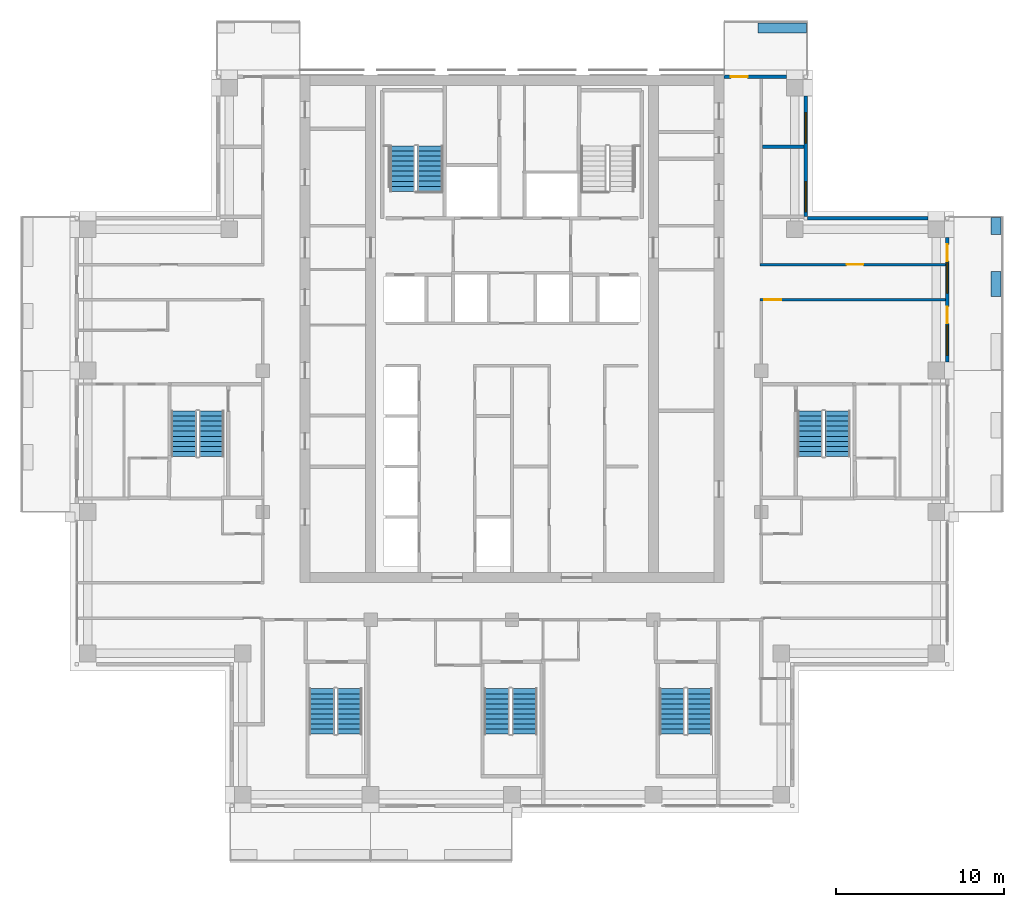
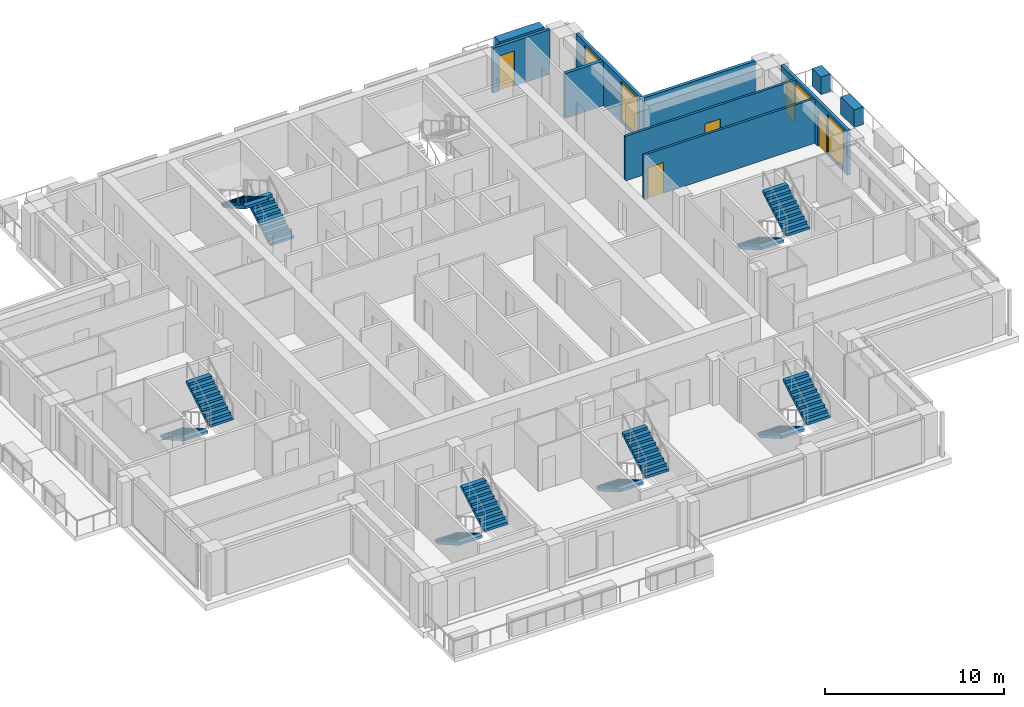
# One storey, part 12 of 17: 12 stair flights, 10 walls, 5 doors, 4 windows, 9 openings, 6 elements without a shape of their own.
"""IFC4 building model written with IfcOpenShell, lengths in metres."""

import ifcopenshell
import ifcopenshell.guid

model = None  # the IFC model being written
_history = None  # IfcOwnerHistory: only IFC2X3 demands one
_inside = {}  # id of a spatial element -> (the spatial element, [elements in it])
_under = {}  # id of a project, library or spatial element -> (it, [spatial elements below it])
_declared = {}  # id of a project -> (the project, [libraries it declares])
_typed = {}  # id of a type object -> (the type object, [elements of that type])
_made_of = {}  # id of a material, layer set ... -> (it, [elements and type objects made of it])


def new_model(schema):
    """Start an empty IFC model of exactly this schema.

    Asked for "IFC4X3", IfcOpenShell would pick the latest addendum, in which some entities
    have other attributes; the version numbers below select the first issue.
    IFC2X3 requires an IfcOwnerHistory on every rooted entity: one is made here for all.
    """
    global model, _history
    if schema == "IFC4X3":
        model = ifcopenshell.file(schema_version=(4, 3, 0, 0))
    else:
        model = ifcopenshell.file(schema=schema)
    _inside.clear()
    _under.clear()
    _declared.clear()
    _typed.clear()
    _made_of.clear()
    _history = None
    if model.schema == "IFC2X3":
        org = make("IfcOrganization", Name="unknown")
        user = make(
            "IfcPersonAndOrganization",
            ThePerson=make("IfcPerson", FamilyName="unknown"),
            TheOrganization=org,
        )
        app = make(
            "IfcApplication",
            ApplicationDeveloper=org,
            Version="unknown",
            ApplicationFullName="unknown",
            ApplicationIdentifier="unknown",
        )
        _history = make(
            "IfcOwnerHistory",
            OwningUser=user,
            OwningApplication=app,
            ChangeAction="ADDED",
            CreationDate=0,
        )
    return model


def make(cls, **values):
    """One entity of the class cls with the attributes given. An attribute that is None is left unset."""
    return model.create_entity(
        cls, **{name: value for name, value in values.items() if value is not None}
    )


def rooted(cls, **values):
    """An entity with a GlobalId (a new one), such as an element, a storey or a relation."""
    return make(cls, GlobalId=ifcopenshell.guid.new(), OwnerHistory=_history, **values)


def si_unit(unit_type, name, prefix=None):
    """IfcSIUnit, for example si_unit("LENGTHUNIT", "METRE", prefix="MILLI")."""
    return make("IfcSIUnit", UnitType=unit_type, Prefix=prefix, Name=name)


def assignment(units):
    """IfcUnitAssignment: the units of a project."""
    return None if units is None else make("IfcUnitAssignment", Units=units)


def point(xyz):
    """IfcCartesianPoint."""
    return None if xyz is None else make("IfcCartesianPoint", Coordinates=xyz)


def direction(xyz):
    """IfcDirection."""
    return None if xyz is None else make("IfcDirection", DirectionRatios=xyz)


def frame(location, z_axis=None, x_axis=None):
    """IfcAxis2Placement3D, a coordinate frame: its origin and axes. An axis left out is left unset."""
    return make(
        "IfcAxis2Placement3D",
        Location=point(location),
        Axis=direction(z_axis),
        RefDirection=direction(x_axis),
    )


def frame_2d(location, x_axis=None):
    """IfcAxis2Placement2D, a coordinate frame in the plane: its origin and x axis."""
    return make(
        "IfcAxis2Placement2D", Location=point(location), RefDirection=direction(x_axis)
    )


def origin():
    """The frame at (0, 0, 0) with its axes left unset."""
    return frame((0.0, 0.0, 0.0))


def place(relative_to, where):
    """IfcLocalPlacement: puts the frame where relative to a parent placement (None: the world)."""
    return make(
        "IfcLocalPlacement", PlacementRelTo=relative_to, RelativePlacement=where
    )


def context(
    kind, dimensions, precision=None, world=None, true_north=None, identifier=None
):
    """IfcGeometricRepresentationContext, for example the 3D "Model" context."""
    return make(
        "IfcGeometricRepresentationContext",
        ContextIdentifier=identifier,
        ContextType=kind,
        CoordinateSpaceDimension=dimensions,
        Precision=precision,
        WorldCoordinateSystem=world,
        TrueNorth=true_north,
    )


def subcontext(parent, identifier, kind, view, scale=None):
    """IfcGeometricRepresentationSubContext, for example "Body" below "Model"."""
    return make(
        "IfcGeometricRepresentationSubContext",
        ContextIdentifier=identifier,
        ContextType=kind,
        ParentContext=parent,
        TargetScale=scale,
        TargetView=view,
    )


def project(units=None, contexts=None):
    """IfcProject with its units and contexts."""
    return rooted(
        "IfcProject",
        Name="project",
        RepresentationContexts=contexts,
        UnitsInContext=assignment(units),
    )


def spatial(cls, under=None, at=None, **own):
    """A site, building, storey or space (cls), placed at a placement, below another one or the project."""
    s = rooted(cls, ObjectPlacement=at, **own)
    if under is not None:
        _under.setdefault(under.id(), (under, []))[1].append(s)
    return s


def polyline(points):
    """IfcPolyline through the points."""
    return make("IfcPolyline", Points=[point(p) for p in points])


def profile(cls, at=None, kind="AREA", **sizes):
    """A parametric profile (cls). Its sizes go by their IFC names, for example OverallWidth=200.0."""
    return make(cls, ProfileType=kind, Position=at, **sizes)


def rectangle(**sizes):
    """IfcRectangleProfileDef."""
    return profile("IfcRectangleProfileDef", **sizes)


def outline(outer, holes=None, kind="AREA"):
    """IfcArbitraryClosedProfileDef: a profile drawn as a closed curve; with holes, ...WithVoids."""
    if holes is None:
        return make("IfcArbitraryClosedProfileDef", ProfileType=kind, OuterCurve=outer)
    return make(
        "IfcArbitraryProfileDefWithVoids",
        ProfileType=kind,
        OuterCurve=outer,
        InnerCurves=holes,
    )


def extrude(swept, where, along, depth):
    """IfcExtrudedAreaSolid: the profile swept, set in the frame where, extruded along a direction by depth."""
    return make(
        "IfcExtrudedAreaSolid",
        SweptArea=swept,
        Position=where,
        ExtrudedDirection=direction(along),
        Depth=depth,
    )


def shape(context_of_items, identifier, shape_type, items):
    """IfcShapeRepresentation: the items that make up one representation, for example the "Body"."""
    return make(
        "IfcShapeRepresentation",
        ContextOfItems=context_of_items,
        RepresentationIdentifier=identifier,
        RepresentationType=shape_type,
        Items=items,
    )


def material(Name=None, Category=None):
    """IfcMaterial."""
    return make("IfcMaterial", Name=Name, Category=Category)


def layer(
    of_material, thickness, ventilated=None, Name=None, Category=None, Priority=None
):
    """IfcMaterialLayer: one layer of a wall or slab, of a material (None: an air gap)."""
    return make(
        "IfcMaterialLayer",
        Material=of_material,
        LayerThickness=thickness,
        IsVentilated=ventilated,
        Name=Name,
        Category=Category,
        Priority=Priority,
    )


def layer_set(layers, Name=None):
    """IfcMaterialLayerSet."""
    return make("IfcMaterialLayerSet", MaterialLayers=layers, LayerSetName=Name)


def made_of(thing, what):
    """Note that an element or type object is made of a material, layer set ...; save() writes the relation."""
    if what is not None:
        _made_of.setdefault(what.id(), (what, []))[1].append(thing)
    return thing


def type_object(cls, material=None, **own):
    """A type object (cls), such as IfcWallType, which elements share."""
    return made_of(rooted(cls, **own), material)


def element(
    cls,
    number,
    at=None,
    inside=None,
    cuts=None,
    type_object=None,
    material=None,
    context=None,
    identifier="Body",
    shape_type=None,
    held_by="IfcProductDefinitionShape",
    body=None,
    shapes=None,
    **own,
):
    """One element of the class cls, such as IfcWall. Its Tag is "e" and its number.

    at: its placement. inside: the storey or other place that contains it. cuts: it is an
    opening in that element (IfcRelVoidsElement). A single representation is given by context,
    identifier, shape_type and body (its items); several are given by shapes. held_by: the class
    of the entity that holds the representations. save() writes the other relations.
    """
    e = rooted(cls, Tag="e%d" % number, ObjectPlacement=at, **own)
    if body is not None:
        shapes = [shape(context, identifier, shape_type, body)]
    if shapes is not None:
        e.Representation = make(held_by, Representations=shapes)
    if inside is not None:
        _inside.setdefault(inside.id(), (inside, []))[1].append(e)
    if cuts is not None:
        rooted(
            "IfcRelVoidsElement", RelatingBuildingElement=cuts, RelatedOpeningElement=e
        )
    if type_object is not None:
        _typed.setdefault(type_object.id(), (type_object, []))[1].append(e)
    return made_of(e, material)


def fill(opening, filler):
    """IfcRelFillsElement: the door or window that sits in an opening."""
    return rooted(
        "IfcRelFillsElement",
        RelatingOpeningElement=opening,
        RelatedBuildingElement=filler,
    )


def aggregate(whole, parts):
    """IfcRelAggregates: a whole, such as a stair, and the parts it consists of."""
    return rooted("IfcRelAggregates", RelatingObject=whole, RelatedObjects=parts)


def save(model, path):
    """Write the relations noted so far, then the file.

    IfcRelAggregates (storeys below a building ...), IfcRelContainedInSpatialStructure (elements
    in a storey), IfcRelDefinesByType, IfcRelAssociatesMaterial and IfcRelDeclares: one each for
    every whole, place, type object, material and project.
    """
    for whole, parts in _under.values():
        aggregate(whole, parts)
    for where, things in _inside.values():
        rooted(
            "IfcRelContainedInSpatialStructure",
            RelatedElements=things,
            RelatingStructure=where,
        )
    for kind, things in _typed.values():
        rooted("IfcRelDefinesByType", RelatedObjects=things, RelatingType=kind)
    for what, things in _made_of.values():
        rooted("IfcRelAssociatesMaterial", RelatedObjects=things, RelatingMaterial=what)
    for by, libraries in _declared.values():
        rooted("IfcRelDeclares", RelatingContext=by, RelatedDefinitions=libraries)
    model.write(path)


model = new_model("IFC4")

# Units and contexts
model_context = context("Model", 3, precision=1e-05, world=origin(), true_north=direction((0.0, 1.0)))
body_context = subcontext(model_context, "Body", "Model", "MODEL_VIEW")
ifc_project = project(units=[si_unit("LENGTHUNIT", "METRE"), si_unit("AREAUNIT", "SQUARE_METRE"), si_unit("VOLUMEUNIT", "CUBIC_METRE"), si_unit("PLANEANGLEUNIT", "RADIAN"), si_unit("MASSUNIT", "GRAM", prefix="KILO")], contexts=[model_context])

# Site, building, storey
site_placement = place(None, origin())
site = spatial("IfcSite", under=ifc_project, at=site_placement, CompositionType="ELEMENT")
building_placement = place(site_placement, origin())
building = spatial("IfcBuilding", under=site, at=building_placement, Name="Vermilion Ogive Tower", CompositionType="ELEMENT")
storey_placement = place(building_placement, frame((0.0, 0.0, 196.25)))
storey = spatial("IfcBuildingStorey", under=building, at=storey_placement, Name="L51", CompositionType="ELEMENT", Elevation=196.25)

# Wall, opening, door
ifc_material_1 = material(Name="Gypsum board partition on steel studs", Category="steel")
ifc_layer_1 = layer(ifc_material_1, 0.14990234375)
ifc_layer_set_1 = layer_set([ifc_layer_1], Name="Partition 150 corridor")
wall_type_1 = type_object("IfcWallType", Name="Partition 150 corridor", PredefinedType="PARTITIONING", material=ifc_layer_set_1)
wall_1_placement = place(storey_placement, frame((14.72509765625, 8.39990234375, 0.0), z_axis=(0.0, 0.0, 1.0), x_axis=(1.0, 0.0, 0.0)))
wall_1 = element("IfcWall", 1, at=wall_1_placement, inside=storey, type_object=wall_type_1, Name="L51-W-W039", PredefinedType="PARTITIONING", context=body_context, shape_type="SweptSolid", body=[
    extrude(rectangle(XDim=11.02490234375, YDim=0.14990234375, at=frame_2d((5.512451171875, 0.0))), origin(), (0.0, 0.0, 1.0), 3.050048828125),
])
opening_1_placement = place(wall_1_placement, frame((0.27490234375, 0.0, 0.0)))
opening_1 = element("IfcOpeningElement", 2, at=opening_1_placement, cuts=wall_1, Name="Opening D4G3020", PredefinedType="OPENING", context=body_context, shape_type="SweptSolid", body=[
    extrude(rectangle(XDim=1.0, YDim=2.10009765625, at=frame_2d((0.5, 1.050048828125))), frame((0.0, 0.0849609375, 0.0), z_axis=(0.0, -1.0, 0.0), x_axis=(1.0, 0.0, 0.0)), (0.0, 0.0, 1.0), 0.169921875),
])
ifc_material_2 = material(Name="Timber door leaf", Category="wood")
door_type_1 = type_object("IfcDoorType", Name="Unit door 1000 x 2100 FD30S", OperationType="SINGLE_SWING_LEFT", PredefinedType="DOOR", material=ifc_material_2)
door_1_placement = place(opening_1_placement, origin())
door_1 = element("IfcDoor", 3, at=door_1_placement, inside=storey, type_object=door_type_1, Name="L51-D-D020", OperationType="SINGLE_SWING_RIGHT", OverallHeight=2.10009765625, OverallWidth=1.0, PredefinedType="DOOR", context=body_context, shape_type="SweptSolid", body=[
    extrude(rectangle(XDim=1.0, YDim=2.10009765625, at=frame_2d((0.5, 1.050048828125))), frame((0.0, 0.02490234375, 0.0), z_axis=(0.0, -1.0, 0.0), x_axis=(1.0, 0.0, 0.0)), (0.0, 0.0, 1.0), 0.050048828125),
])
fill(opening_1, door_1)

wall_2_placement = place(storey_placement, frame((14.72509765625, 10.5, 0.0), z_axis=(0.0, 0.0, 1.0), x_axis=(1.0, 0.0, 0.0)))
wall_2 = element("IfcWall", 4, at=wall_2_placement, inside=storey, type_object=wall_type_1, Name="L51-W-W041", PredefinedType="PARTITIONING", context=body_context, shape_type="SweptSolid", body=[
    extrude(rectangle(XDim=11.02490234375, YDim=0.14990234375, at=frame_2d((5.512451171875, 0.0))), origin(), (0.0, 0.0, 1.0), 3.050048828125),
])
opening_2_placement = place(wall_2_placement, frame((5.14990234375, 0.0, 0.0)))
opening_2 = element("IfcOpeningElement", 5, at=opening_2_placement, cuts=wall_2, Name="Opening D4G3038", PredefinedType="OPENING", context=body_context, shape_type="SweptSolid", body=[
    extrude(rectangle(XDim=1.0, YDim=2.10009765625, at=frame_2d((0.5, 1.050048828125))), frame((0.0, 0.0849609375, 0.0), z_axis=(0.0, -1.0, 0.0), x_axis=(1.0, 0.0, 0.0)), (0.0, 0.0, 1.0), 0.169921875),
])
door_2_placement = place(opening_2_placement, origin())
door_2 = element("IfcDoor", 6, at=door_2_placement, inside=storey, type_object=door_type_1, Name="L51-D-D038", OperationType="SINGLE_SWING_RIGHT", OverallHeight=2.10009765625, OverallWidth=1.0, PredefinedType="DOOR", context=body_context, shape_type="SweptSolid", body=[
    extrude(rectangle(XDim=1.0, YDim=2.10009765625, at=frame_2d((0.5, 1.050048828125))), frame((0.0, 0.02490234375, 0.0), z_axis=(0.0, -1.0, 0.0), x_axis=(1.0, 0.0, 0.0)), (0.0, 0.0, 1.0), 0.050048828125),
])
fill(opening_2, door_2)

# Walls
ifc_material_3 = material(Name="Gypsum board partition on steel studs", Category="steel")
ifc_layer_2 = layer(ifc_material_3, 0.199951171875)
ifc_layer_set_2 = layer_set([ifc_layer_2], Name="Partition 200 party")
wall_type_2 = type_object("IfcWallType", Name="Partition 200 party", PredefinedType="PARTITIONING", material=ifc_layer_set_2)
wall_3_placement = place(storey_placement, frame((14.875, 17.5, 0.0), z_axis=(0.0, 0.0, 1.0), x_axis=(1.0, 0.0, 0.0)))
element("IfcWall", 7, at=wall_3_placement, inside=storey, type_object=wall_type_2, Name="L51-W-W045", PredefinedType="PARTITIONING", context=body_context, shape_type="SweptSolid", body=[
    extrude(rectangle(XDim=2.47509765625, YDim=0.199951171875, at=frame_2d((1.237548828125, 0.0))), origin(), (0.0, 0.0, 1.0), 3.050048828125),
])
ifc_material_4 = material(Name="Concrete B40", Category="concrete")
ifc_layer_3 = layer(ifc_material_4, 0.60009765625)
ifc_layer_set_3 = layer_set([ifc_layer_3], Name="Structural planter")
wall_type_3 = type_object("IfcWallType", Name="Structural planter", PredefinedType="USERDEFINED", material=ifc_layer_set_3)
wall_4_placement = place(storey_placement, frame((28.75, 8.60009765625, -0.0400390625), z_axis=(0.0, 0.0, 1.0), x_axis=(0.0, 1.0, 0.0)))
element("IfcWall", 8, at=wall_4_placement, inside=storey, type_object=wall_type_3, Name="Planter E03A2", ObjectType="PLANTER", PredefinedType="USERDEFINED", context=body_context, shape_type="SweptSolid", body=[
    extrude(rectangle(XDim=1.5, YDim=0.60009765625, at=frame_2d((0.75, 0.0))), origin(), (0.0, 0.0, 1.0), 1.199951171875),
])
wall_5_placement = place(storey_placement, frame((28.75, 12.300048828125, -0.0400390625), z_axis=(0.0, 0.0, 1.0), x_axis=(0.0, 1.0, 0.0)))
element("IfcWall", 9, at=wall_5_placement, inside=storey, type_object=wall_type_3, Name="Planter E03A3", ObjectType="PLANTER", PredefinedType="USERDEFINED", context=body_context, shape_type="SweptSolid", body=[
    extrude(rectangle(XDim=0.989990234375, YDim=0.60009765625, at=frame_2d((0.4951171875, 0.0))), origin(), (0.0, 0.0, 1.0), 1.199951171875),
])
wall_6_placement = place(storey_placement, frame((17.489990234375, 24.550048828125, -0.0400390625), z_axis=(0.0, 0.0, 1.0), x_axis=(-1.0, 0.0, 0.0)))
element("IfcWall", 10, at=wall_6_placement, inside=storey, type_object=wall_type_3, Name="Planter N101A1", ObjectType="PLANTER", PredefinedType="USERDEFINED", context=body_context, shape_type="SweptSolid", body=[
    extrude(rectangle(XDim=2.889892578125, YDim=0.60009765625, at=frame_2d((1.44482421875, 0.0))), origin(), (0.0, 0.0, 1.0), 1.199951171875),
])

# Wall, openings, doors, windows
ifc_material_5 = material(Name="Aluminium window wall framing", Category="aluminium")
ifc_layer_4 = layer(ifc_material_5, 0.199951171875)
ifc_layer_set_4 = layer_set([ifc_layer_4], Name="Window wall")
wall_type_4 = type_object("IfcWallType", Name="Window wall", PredefinedType="STANDARD", material=ifc_layer_set_4)
wall_7_placement = place(storey_placement, frame((25.85009765625, 4.699951171875, 0.0), z_axis=(0.0, 0.0, 1.0), x_axis=(0.0, 1.0, 0.0)))
wall_7 = element("IfcWall", 11, at=wall_7_placement, inside=storey, type_object=wall_type_4, Name="Window wall E3", PredefinedType="STANDARD", context=body_context, shape_type="SweptSolid", body=[
    extrude(rectangle(XDim=7.400146484375, YDim=0.199951171875, at=frame_2d((3.7001953125, 0.0))), origin(), (0.0, 0.0, 1.0), 3.050048828125),
])
opening_3_placement = place(wall_7_placement, frame((0.39990234375, 0.0, 0.199951171875)))
opening_3 = element("IfcOpeningElement", 12, at=opening_3_placement, cuts=wall_7, Name="Opening W1-E01", PredefinedType="OPENING", context=body_context, shape_type="SweptSolid", body=[
    extrude(rectangle(XDim=1.800048828125, YDim=2.64990234375, at=frame_2d((0.89990234375, 1.324951171875))), frame((0.0, 0.10986328125, 0.0), z_axis=(0.0, -1.0, 0.0), x_axis=(1.0, 0.0, 0.0)), (0.0, 0.0, 1.0), 0.219970703125),
])
opening_4_placement = place(wall_7_placement, frame((2.300048828125, 0.0, 0.0)))
opening_4 = element("IfcOpeningElement", 13, at=opening_4_placement, cuts=wall_7, Name="Opening D1-E01", PredefinedType="OPENING", context=body_context, shape_type="SweptSolid", body=[
    extrude(rectangle(XDim=1.0, YDim=2.39990234375, at=frame_2d((0.5, 1.199951171875))), frame((0.0, 0.10986328125, 0.0), z_axis=(0.0, -1.0, 0.0), x_axis=(1.0, 0.0, 0.0)), (0.0, 0.0, 1.0), 0.219970703125),
])
opening_5_placement = place(wall_7_placement, frame((4.10009765625, 0.0, 0.199951171875)))
opening_5 = element("IfcOpeningElement", 14, at=opening_5_placement, cuts=wall_7, Name="Opening W1-E02", PredefinedType="OPENING", context=body_context, shape_type="SweptSolid", body=[
    extrude(rectangle(XDim=1.800048828125, YDim=2.64990234375, at=frame_2d((0.89990234375, 1.324951171875))), frame((0.0, 0.10986328125, 0.0), z_axis=(0.0, -1.0, 0.0), x_axis=(1.0, 0.0, 0.0)), (0.0, 0.0, 1.0), 0.219970703125),
])
opening_6_placement = place(wall_7_placement, frame((6.0, 0.0, 0.0)))
opening_6 = element("IfcOpeningElement", 15, at=opening_6_placement, cuts=wall_7, Name="Opening D1-E02", PredefinedType="OPENING", context=body_context, shape_type="SweptSolid", body=[
    extrude(rectangle(XDim=1.0, YDim=2.39990234375, at=frame_2d((0.5, 1.199951171875))), frame((0.0, 0.10986328125, 0.0), z_axis=(0.0, -1.0, 0.0), x_axis=(1.0, 0.0, 0.0)), (0.0, 0.0, 1.0), 0.219970703125),
])
ifc_material_6 = material(Name="Aluminium framed glazed door", Category="aluminium")
door_type_2 = type_object("IfcDoorType", Name="Balcony door D1", OperationType="SINGLE_SWING_LEFT", PredefinedType="DOOR", material=ifc_material_6)
door_3_placement = place(opening_4_placement, origin())
door_3 = element("IfcDoor", 16, at=door_3_placement, inside=storey, type_object=door_type_2, Name="Balcony door E01", OperationType="SINGLE_SWING_LEFT", OverallHeight=2.39990234375, OverallWidth=1.0, PredefinedType="DOOR", context=body_context, shape_type="SweptSolid", body=[
    extrude(rectangle(XDim=1.0, YDim=2.39990234375, at=frame_2d((0.5, 1.199951171875))), frame((0.0, 0.02490234375, 0.0), z_axis=(0.0, -1.0, 0.0), x_axis=(1.0, 0.0, 0.0)), (0.0, 0.0, 1.0), 0.050048828125),
])
fill(opening_4, door_3)
door_4_placement = place(opening_6_placement, origin())
door_4 = element("IfcDoor", 17, at=door_4_placement, inside=storey, type_object=door_type_2, Name="Balcony door E02", OperationType="SINGLE_SWING_LEFT", OverallHeight=2.39990234375, OverallWidth=1.0, PredefinedType="DOOR", context=body_context, shape_type="SweptSolid", body=[
    extrude(rectangle(XDim=1.0, YDim=2.39990234375, at=frame_2d((0.5, 1.199951171875))), frame((0.0, 0.02490234375, 0.0), z_axis=(0.0, -1.0, 0.0), x_axis=(1.0, 0.0, 0.0)), (0.0, 0.0, 1.0), 0.050048828125),
])
fill(opening_6, door_4)
ifc_material_7 = material(Name="Aluminium framed double glazing", Category="aluminium")
window_type = type_object("IfcWindowType", Name="Guest window W1", PartitioningType="SINGLE_PANEL", PredefinedType="WINDOW", material=ifc_material_7)
window_1_placement = place(opening_3_placement, origin())
window_1 = element("IfcWindow", 18, at=window_1_placement, inside=storey, type_object=window_type, Name="Window E01", OverallHeight=2.64990234375, OverallWidth=1.800048828125, PartitioningType="SINGLE_PANEL", PredefinedType="WINDOW", context=body_context, shape_type="SweptSolid", body=[
    extrude(rectangle(XDim=1.800048828125, YDim=2.64990234375, at=frame_2d((0.89990234375, 1.324951171875))), frame((0.0, 0.030029296875, 0.0), z_axis=(0.0, -1.0, 0.0), x_axis=(1.0, 0.0, 0.0)), (0.0, 0.0, 1.0), 0.06005859375),
])
fill(opening_3, window_1)
window_2_placement = place(opening_5_placement, origin())
window_2 = element("IfcWindow", 19, at=window_2_placement, inside=storey, type_object=window_type, Name="Window E02", OverallHeight=2.64990234375, OverallWidth=1.800048828125, PartitioningType="SINGLE_PANEL", PredefinedType="WINDOW", context=body_context, shape_type="SweptSolid", body=[
    extrude(rectangle(XDim=1.800048828125, YDim=2.64990234375, at=frame_2d((0.89990234375, 1.324951171875))), frame((0.0, 0.030029296875, 0.0), z_axis=(0.0, -1.0, 0.0), x_axis=(1.0, 0.0, 0.0)), (0.0, 0.0, 1.0), 0.06005859375),
])
fill(opening_5, window_2)

# Wall
wall_8_placement = place(storey_placement, frame((24.699951171875, 13.25, 0.0), z_axis=(0.0, 0.0, 1.0), x_axis=(-1.0, 0.0, 0.0)))
element("IfcWall", 20, at=wall_8_placement, inside=storey, type_object=wall_type_4, Name="Window wall X31", PredefinedType="STANDARD", context=body_context, shape_type="SweptSolid", body=[
    extrude(rectangle(XDim=7.14990234375, YDim=0.199951171875, at=frame_2d((3.574951171875, 0.0))), origin(), (0.0, 0.0, 1.0), 3.050048828125),
])

# Wall, openings, windows
wall_9_placement = place(storey_placement, frame((17.449951171875, 13.35009765625, 0.0), z_axis=(0.0, 0.0, 1.0), x_axis=(0.0, 1.0, 0.0)))
wall_9 = element("IfcWall", 21, at=wall_9_placement, inside=storey, type_object=wall_type_4, Name="Window wall X41", PredefinedType="STANDARD", context=body_context, shape_type="SweptSolid", body=[
    extrude(rectangle(XDim=7.14990234375, YDim=0.199951171875, at=frame_2d((3.574951171875, 0.0))), origin(), (0.0, 0.0, 1.0), 3.050048828125),
])
opening_7_placement = place(wall_9_placement, frame((0.27490234375, 0.0, 0.199951171875)))
opening_7 = element("IfcOpeningElement", 22, at=opening_7_placement, cuts=wall_9, Name="Opening W1-X403", PredefinedType="OPENING", context=body_context, shape_type="SweptSolid", body=[
    extrude(rectangle(XDim=1.800048828125, YDim=2.64990234375, at=frame_2d((0.89990234375, 1.324951171875))), frame((0.0, 0.10986328125, 0.0), z_axis=(0.0, -1.0, 0.0), x_axis=(1.0, 0.0, 0.0)), (0.0, 0.0, 1.0), 0.219970703125),
])
opening_8_placement = place(wall_9_placement, frame((4.3701171875, 0.0, 0.199951171875)))
opening_8 = element("IfcOpeningElement", 23, at=opening_8_placement, cuts=wall_9, Name="Opening W1-X404", PredefinedType="OPENING", context=body_context, shape_type="SweptSolid", body=[
    extrude(rectangle(XDim=1.800048828125, YDim=2.64990234375, at=frame_2d((0.89990234375, 1.324951171875))), frame((0.0, 0.10986328125, 0.0), z_axis=(0.0, -1.0, 0.0), x_axis=(1.0, 0.0, 0.0)), (0.0, 0.0, 1.0), 0.219970703125),
])
window_3_placement = place(opening_7_placement, origin())
window_3 = element("IfcWindow", 24, at=window_3_placement, inside=storey, type_object=window_type, Name="Window X403", OverallHeight=2.64990234375, OverallWidth=1.800048828125, PartitioningType="SINGLE_PANEL", PredefinedType="WINDOW", context=body_context, shape_type="SweptSolid", body=[
    extrude(rectangle(XDim=1.800048828125, YDim=2.64990234375, at=frame_2d((0.89990234375, 1.324951171875))), frame((0.0, 0.030029296875, 0.0), z_axis=(0.0, -1.0, 0.0), x_axis=(1.0, 0.0, 0.0)), (0.0, 0.0, 1.0), 0.06005859375),
])
fill(opening_7, window_3)
window_4_placement = place(opening_8_placement, origin())
window_4 = element("IfcWindow", 25, at=window_4_placement, inside=storey, type_object=window_type, Name="Window X404", OverallHeight=2.64990234375, OverallWidth=1.800048828125, PartitioningType="SINGLE_PANEL", PredefinedType="WINDOW", context=body_context, shape_type="SweptSolid", body=[
    extrude(rectangle(XDim=1.800048828125, YDim=2.64990234375, at=frame_2d((0.89990234375, 1.324951171875))), frame((0.0, 0.030029296875, 0.0), z_axis=(0.0, -1.0, 0.0), x_axis=(1.0, 0.0, 0.0)), (0.0, 0.0, 1.0), 0.06005859375),
])
fill(opening_8, window_4)

# Wall, opening, door
wall_10_placement = place(storey_placement, frame((16.300048828125, 21.64990234375, 0.0), z_axis=(0.0, 0.0, 1.0), x_axis=(-1.0, 0.0, 0.0)))
wall_10 = element("IfcWall", 26, at=wall_10_placement, inside=storey, type_object=wall_type_4, Name="Window wall N11", PredefinedType="STANDARD", context=body_context, shape_type="SweptSolid", body=[
    extrude(rectangle(XDim=3.699951171875, YDim=0.199951171875, at=frame_2d((1.85009765625, 0.0))), origin(), (0.0, 0.0, 1.0), 3.050048828125),
])
opening_9_placement = place(wall_10_placement, frame((2.300048828125, 0.0, 0.0)))
opening_9 = element("IfcOpeningElement", 27, at=opening_9_placement, cuts=wall_10, Name="Opening D1-N103", PredefinedType="OPENING", context=body_context, shape_type="SweptSolid", body=[
    extrude(rectangle(XDim=1.0, YDim=2.39990234375, at=frame_2d((0.5, 1.199951171875))), frame((0.0, 0.10986328125, 0.0), z_axis=(0.0, -1.0, 0.0), x_axis=(1.0, 0.0, 0.0)), (0.0, 0.0, 1.0), 0.219970703125),
])
door_5_placement = place(opening_9_placement, origin())
door_5 = element("IfcDoor", 28, at=door_5_placement, inside=storey, type_object=door_type_2, Name="Balcony door N103", OperationType="SINGLE_SWING_LEFT", OverallHeight=2.39990234375, OverallWidth=1.0, PredefinedType="DOOR", context=body_context, shape_type="SweptSolid", body=[
    extrude(rectangle(XDim=1.0, YDim=2.39990234375, at=frame_2d((0.5, 1.199951171875))), frame((0.0, 0.02490234375, 0.0), z_axis=(0.0, -1.0, 0.0), x_axis=(1.0, 0.0, 0.0)), (0.0, 0.0, 1.0), 0.050048828125),
])
fill(opening_9, door_5)

# Stair, stair flights
ifc_material_8 = material(Name="Concrete B40", Category="concrete")
stair_type = type_object("IfcStairType", Name="Exit stair 1500", PredefinedType="HALF_TURN_STAIR", material=ifc_material_8)
stair_1_placement = place(storey_placement, origin())
stair_1 = element("IfcStair", 29, at=stair_1_placement, inside=storey, type_object=stair_type, Name="L51 Exit Stair ST1", PredefinedType="HALF_TURN_STAIR")
ifc_material_9 = material(Name="Concrete B40", Category="concrete")
stair_flight_type = type_object("IfcStairFlightType", Name="Stair flight 1500", PredefinedType="STRAIGHT", material=ifc_material_9)
stair_flight_1_placement = place(storey_placement, frame((-4.85009765625, 14.85009765625, 0.0), z_axis=(0.0, 0.0, 1.0), x_axis=(0.0, 1.0, 0.0)))
stair_flight_1 = element("IfcStairFlight", 30, at=stair_flight_1_placement, type_object=stair_flight_type, Name="ST1 flight 1", NumberOfRisers=10, NumberOfTreads=9, PredefinedType="STRAIGHT", RiserHeight=0.1725, TreadLength=0.3, context=body_context, shape_type="SweptSolid", body=[
    extrude(outline(polyline([(0.0, 0.0), (0.0, 0.172607421875), (0.300048828125, 0.172607421875), (0.300048828125, 0.344970703125), (0.60009765625, 0.344970703125), (0.60009765625, 0.517578125), (0.89990234375, 0.517578125), (0.89990234375, 0.68994140625), (1.199951171875, 0.68994140625), (1.199951171875, 0.862548828125), (1.5, 0.862548828125), (1.5, 1.034912109375), (1.800048828125, 1.034912109375), (1.800048828125, 1.20751953125), (2.10009765625, 1.20751953125), (2.10009765625, 1.3798828125), (2.39990234375, 1.3798828125), (2.39990234375, 1.552490234375), (2.699951171875, 1.552490234375), (2.699951171875, 1.72509765625), (2.699951171875, 1.379638671875), (0.30078125, 0.0), (0.0, 0.0)])), frame((0.0, 0.75, 0.0), z_axis=(0.0, -1.0, 0.0), x_axis=(1.0, 0.0, 0.0)), (0.0, 0.0, 1.0), 1.5),
])
stair_flight_2_placement = place(storey_placement, frame((-6.5, 17.550048828125, 1.72509765625), z_axis=(0.0, 0.0, 1.0), x_axis=(0.0, -1.0, 0.0)))
stair_flight_2 = element("IfcStairFlight", 31, at=stair_flight_2_placement, type_object=stair_flight_type, Name="ST1 flight 2", NumberOfRisers=10, NumberOfTreads=9, PredefinedType="STRAIGHT", RiserHeight=0.1725, TreadLength=0.3, context=body_context, shape_type="SweptSolid", body=[
    extrude(outline(polyline([(0.0, 0.0), (0.0, 0.172607421875), (0.300048828125, 0.172607421875), (0.300048828125, 0.344970703125), (0.60009765625, 0.344970703125), (0.60009765625, 0.517578125), (0.89990234375, 0.517578125), (0.89990234375, 0.68994140625), (1.199951171875, 0.68994140625), (1.199951171875, 0.862548828125), (1.5, 0.862548828125), (1.5, 1.034912109375), (1.800048828125, 1.034912109375), (1.800048828125, 1.20751953125), (2.10009765625, 1.20751953125), (2.10009765625, 1.3798828125), (2.39990234375, 1.3798828125), (2.39990234375, 1.552490234375), (2.699951171875, 1.552490234375), (2.699951171875, 1.72509765625), (2.699951171875, 1.379638671875), (0.30078125, 0.0), (0.0, 0.0)])), frame((0.0, 0.75, 0.0), z_axis=(0.0, -1.0, 0.0), x_axis=(1.0, 0.0, 0.0)), (0.0, 0.0, 1.0), 1.5),
])
aggregate(stair_1, [stair_flight_1, stair_flight_2])

stair_2_placement = place(storey_placement, origin())
stair_2 = element("IfcStair", 32, at=stair_2_placement, inside=storey, type_object=stair_type, Name="L51 Exit Stair ST3", PredefinedType="HALF_TURN_STAIR")
stair_flight_3_placement = place(storey_placement, frame((-11.300048828125, -14.699951171875, 0.0), z_axis=(0.0, 0.0, 1.0), x_axis=(0.0, -1.0, 0.0)))
stair_flight_3 = element("IfcStairFlight", 33, at=stair_flight_3_placement, type_object=stair_flight_type, Name="ST3 flight 1", NumberOfRisers=10, NumberOfTreads=9, PredefinedType="STRAIGHT", RiserHeight=0.1725, TreadLength=0.3, context=body_context, shape_type="SweptSolid", body=[
    extrude(outline(polyline([(0.0, 0.0), (0.0, 0.172607421875), (0.300048828125, 0.172607421875), (0.300048828125, 0.344970703125), (0.60009765625, 0.344970703125), (0.60009765625, 0.517578125), (0.89990234375, 0.517578125), (0.89990234375, 0.68994140625), (1.199951171875, 0.68994140625), (1.199951171875, 0.862548828125), (1.5, 0.862548828125), (1.5, 1.034912109375), (1.800048828125, 1.034912109375), (1.800048828125, 1.20751953125), (2.10009765625, 1.20751953125), (2.10009765625, 1.3798828125), (2.39990234375, 1.3798828125), (2.39990234375, 1.552490234375), (2.699951171875, 1.552490234375), (2.699951171875, 1.72509765625), (2.699951171875, 1.379638671875), (0.30078125, 0.0), (0.0, 0.0)])), frame((0.0, 0.75, 0.0), z_axis=(0.0, -1.0, 0.0), x_axis=(1.0, 0.0, 0.0)), (0.0, 0.0, 1.0), 1.5),
])
stair_flight_4_placement = place(storey_placement, frame((-9.64990234375, -17.39990234375, 1.72509765625), z_axis=(0.0, 0.0, 1.0), x_axis=(0.0, 1.0, 0.0)))
stair_flight_4 = element("IfcStairFlight", 34, at=stair_flight_4_placement, type_object=stair_flight_type, Name="ST3 flight 2", NumberOfRisers=10, NumberOfTreads=9, PredefinedType="STRAIGHT", RiserHeight=0.1725, TreadLength=0.3, context=body_context, shape_type="SweptSolid", body=[
    extrude(outline(polyline([(0.0, 0.0), (0.0, 0.172607421875), (0.300048828125, 0.172607421875), (0.300048828125, 0.344970703125), (0.60009765625, 0.344970703125), (0.60009765625, 0.517578125), (0.89990234375, 0.517578125), (0.89990234375, 0.68994140625), (1.199951171875, 0.68994140625), (1.199951171875, 0.862548828125), (1.5, 0.862548828125), (1.5, 1.034912109375), (1.800048828125, 1.034912109375), (1.800048828125, 1.20751953125), (2.10009765625, 1.20751953125), (2.10009765625, 1.3798828125), (2.39990234375, 1.3798828125), (2.39990234375, 1.552490234375), (2.699951171875, 1.552490234375), (2.699951171875, 1.72509765625), (2.699951171875, 1.379638671875), (0.30078125, 0.0), (0.0, 0.0)])), frame((0.0, 0.75, 0.0), z_axis=(0.0, -1.0, 0.0), x_axis=(1.0, 0.0, 0.0)), (0.0, 0.0, 1.0), 1.5),
])
aggregate(stair_2, [stair_flight_3, stair_flight_4])

stair_3_placement = place(storey_placement, origin())
stair_3 = element("IfcStair", 35, at=stair_3_placement, inside=storey, type_object=stair_type, Name="L51 Exit Stair ST4", PredefinedType="HALF_TURN_STAIR")
stair_flight_5_placement = place(storey_placement, frame((-0.89990234375, -14.699951171875, 0.0), z_axis=(0.0, 0.0, 1.0), x_axis=(0.0, -1.0, 0.0)))
stair_flight_5 = element("IfcStairFlight", 36, at=stair_flight_5_placement, type_object=stair_flight_type, Name="ST4 flight 1", NumberOfRisers=10, NumberOfTreads=9, PredefinedType="STRAIGHT", RiserHeight=0.1725, TreadLength=0.3, context=body_context, shape_type="SweptSolid", body=[
    extrude(outline(polyline([(0.0, 0.0), (0.0, 0.172607421875), (0.300048828125, 0.172607421875), (0.300048828125, 0.344970703125), (0.60009765625, 0.344970703125), (0.60009765625, 0.517578125), (0.89990234375, 0.517578125), (0.89990234375, 0.68994140625), (1.199951171875, 0.68994140625), (1.199951171875, 0.862548828125), (1.5, 0.862548828125), (1.5, 1.034912109375), (1.800048828125, 1.034912109375), (1.800048828125, 1.20751953125), (2.10009765625, 1.20751953125), (2.10009765625, 1.3798828125), (2.39990234375, 1.3798828125), (2.39990234375, 1.552490234375), (2.699951171875, 1.552490234375), (2.699951171875, 1.72509765625), (2.699951171875, 1.379638671875), (0.30078125, 0.0), (0.0, 0.0)])), frame((0.0, 0.75, 0.0), z_axis=(0.0, -1.0, 0.0), x_axis=(1.0, 0.0, 0.0)), (0.0, 0.0, 1.0), 1.5),
])
stair_flight_6_placement = place(storey_placement, frame((0.75, -17.39990234375, 1.72509765625), z_axis=(0.0, 0.0, 1.0), x_axis=(0.0, 1.0, 0.0)))
stair_flight_6 = element("IfcStairFlight", 37, at=stair_flight_6_placement, type_object=stair_flight_type, Name="ST4 flight 2", NumberOfRisers=10, NumberOfTreads=9, PredefinedType="STRAIGHT", RiserHeight=0.1725, TreadLength=0.3, context=body_context, shape_type="SweptSolid", body=[
    extrude(outline(polyline([(0.0, 0.0), (0.0, 0.172607421875), (0.300048828125, 0.172607421875), (0.300048828125, 0.344970703125), (0.60009765625, 0.344970703125), (0.60009765625, 0.517578125), (0.89990234375, 0.517578125), (0.89990234375, 0.68994140625), (1.199951171875, 0.68994140625), (1.199951171875, 0.862548828125), (1.5, 0.862548828125), (1.5, 1.034912109375), (1.800048828125, 1.034912109375), (1.800048828125, 1.20751953125), (2.10009765625, 1.20751953125), (2.10009765625, 1.3798828125), (2.39990234375, 1.3798828125), (2.39990234375, 1.552490234375), (2.699951171875, 1.552490234375), (2.699951171875, 1.72509765625), (2.699951171875, 1.379638671875), (0.30078125, 0.0), (0.0, 0.0)])), frame((0.0, 0.75, 0.0), z_axis=(0.0, -1.0, 0.0), x_axis=(1.0, 0.0, 0.0)), (0.0, 0.0, 1.0), 1.5),
])
aggregate(stair_3, [stair_flight_5, stair_flight_6])

stair_4_placement = place(storey_placement, origin())
stair_4 = element("IfcStair", 38, at=stair_4_placement, inside=storey, type_object=stair_type, Name="L51 Exit Stair ST5", PredefinedType="HALF_TURN_STAIR")
stair_flight_7_placement = place(storey_placement, frame((9.5, -14.699951171875, 0.0), z_axis=(0.0, 0.0, 1.0), x_axis=(0.0, -1.0, 0.0)))
stair_flight_7 = element("IfcStairFlight", 39, at=stair_flight_7_placement, type_object=stair_flight_type, Name="ST5 flight 1", NumberOfRisers=10, NumberOfTreads=9, PredefinedType="STRAIGHT", RiserHeight=0.1725, TreadLength=0.3, context=body_context, shape_type="SweptSolid", body=[
    extrude(outline(polyline([(0.0, 0.0), (0.0, 0.172607421875), (0.300048828125, 0.172607421875), (0.300048828125, 0.344970703125), (0.60009765625, 0.344970703125), (0.60009765625, 0.517578125), (0.89990234375, 0.517578125), (0.89990234375, 0.68994140625), (1.199951171875, 0.68994140625), (1.199951171875, 0.862548828125), (1.5, 0.862548828125), (1.5, 1.034912109375), (1.800048828125, 1.034912109375), (1.800048828125, 1.20751953125), (2.10009765625, 1.20751953125), (2.10009765625, 1.3798828125), (2.39990234375, 1.3798828125), (2.39990234375, 1.552490234375), (2.699951171875, 1.552490234375), (2.699951171875, 1.72509765625), (2.699951171875, 1.379638671875), (0.30078125, 0.0), (0.0, 0.0)])), frame((0.0, 0.75, 0.0), z_axis=(0.0, -1.0, 0.0), x_axis=(1.0, 0.0, 0.0)), (0.0, 0.0, 1.0), 1.5),
])
stair_flight_8_placement = place(storey_placement, frame((11.14990234375, -17.39990234375, 1.72509765625), z_axis=(0.0, 0.0, 1.0), x_axis=(0.0, 1.0, 0.0)))
stair_flight_8 = element("IfcStairFlight", 40, at=stair_flight_8_placement, type_object=stair_flight_type, Name="ST5 flight 2", NumberOfRisers=10, NumberOfTreads=9, PredefinedType="STRAIGHT", RiserHeight=0.1725, TreadLength=0.3, context=body_context, shape_type="SweptSolid", body=[
    extrude(outline(polyline([(0.0, 0.0), (0.0, 0.172607421875), (0.300048828125, 0.172607421875), (0.300048828125, 0.344970703125), (0.60009765625, 0.344970703125), (0.60009765625, 0.517578125), (0.89990234375, 0.517578125), (0.89990234375, 0.68994140625), (1.199951171875, 0.68994140625), (1.199951171875, 0.862548828125), (1.5, 0.862548828125), (1.5, 1.034912109375), (1.800048828125, 1.034912109375), (1.800048828125, 1.20751953125), (2.10009765625, 1.20751953125), (2.10009765625, 1.3798828125), (2.39990234375, 1.3798828125), (2.39990234375, 1.552490234375), (2.699951171875, 1.552490234375), (2.699951171875, 1.72509765625), (2.699951171875, 1.379638671875), (0.30078125, 0.0), (0.0, 0.0)])), frame((0.0, 0.75, 0.0), z_axis=(0.0, -1.0, 0.0), x_axis=(1.0, 0.0, 0.0)), (0.0, 0.0, 1.0), 1.5),
])
aggregate(stair_4, [stair_flight_7, stair_flight_8])

stair_5_placement = place(storey_placement, origin())
stair_5 = element("IfcStair", 41, at=stair_5_placement, inside=storey, type_object=stair_type, Name="L51 Exit Stair ST8", PredefinedType="HALF_TURN_STAIR")
stair_flight_9_placement = place(storey_placement, frame((17.699951171875, 1.800048828125, 0.0), z_axis=(0.0, 0.0, 1.0), x_axis=(0.0, -1.0, 0.0)))
stair_flight_9 = element("IfcStairFlight", 42, at=stair_flight_9_placement, type_object=stair_flight_type, Name="ST8 flight 1", NumberOfRisers=10, NumberOfTreads=9, PredefinedType="STRAIGHT", RiserHeight=0.1725, TreadLength=0.3, context=body_context, shape_type="SweptSolid", body=[
    extrude(outline(polyline([(0.0, 0.0), (0.0, 0.172607421875), (0.300048828125, 0.172607421875), (0.300048828125, 0.344970703125), (0.60009765625, 0.344970703125), (0.60009765625, 0.517578125), (0.89990234375, 0.517578125), (0.89990234375, 0.68994140625), (1.199951171875, 0.68994140625), (1.199951171875, 0.862548828125), (1.5, 0.862548828125), (1.5, 1.034912109375), (1.800048828125, 1.034912109375), (1.800048828125, 1.20751953125), (2.10009765625, 1.20751953125), (2.10009765625, 1.3798828125), (2.39990234375, 1.3798828125), (2.39990234375, 1.552490234375), (2.699951171875, 1.552490234375), (2.699951171875, 1.72509765625), (2.699951171875, 1.379638671875), (0.30078125, 0.0), (0.0, 0.0)])), frame((0.0, 0.75, 0.0), z_axis=(0.0, -1.0, 0.0), x_axis=(1.0, 0.0, 0.0)), (0.0, 0.0, 1.0), 1.5),
])
stair_flight_10_placement = place(storey_placement, frame((19.35009765625, -0.89990234375, 1.72509765625), z_axis=(0.0, 0.0, 1.0), x_axis=(0.0, 1.0, 0.0)))
stair_flight_10 = element("IfcStairFlight", 43, at=stair_flight_10_placement, type_object=stair_flight_type, Name="ST8 flight 2", NumberOfRisers=10, NumberOfTreads=9, PredefinedType="STRAIGHT", RiserHeight=0.1725, TreadLength=0.3, context=body_context, shape_type="SweptSolid", body=[
    extrude(outline(polyline([(0.0, 0.0), (0.0, 0.172607421875), (0.300048828125, 0.172607421875), (0.300048828125, 0.344970703125), (0.60009765625, 0.344970703125), (0.60009765625, 0.517578125), (0.89990234375, 0.517578125), (0.89990234375, 0.68994140625), (1.199951171875, 0.68994140625), (1.199951171875, 0.862548828125), (1.5, 0.862548828125), (1.5, 1.034912109375), (1.800048828125, 1.034912109375), (1.800048828125, 1.20751953125), (2.10009765625, 1.20751953125), (2.10009765625, 1.3798828125), (2.39990234375, 1.3798828125), (2.39990234375, 1.552490234375), (2.699951171875, 1.552490234375), (2.699951171875, 1.72509765625), (2.699951171875, 1.379638671875), (0.30078125, 0.0), (0.0, 0.0)])), frame((0.0, 0.75, 0.0), z_axis=(0.0, -1.0, 0.0), x_axis=(1.0, 0.0, 0.0)), (0.0, 0.0, 1.0), 1.5),
])
aggregate(stair_5, [stair_flight_9, stair_flight_10])

stair_6_placement = place(storey_placement, origin())
stair_6 = element("IfcStair", 44, at=stair_6_placement, inside=storey, type_object=stair_type, Name="L51 Exit Stair ST9", PredefinedType="HALF_TURN_STAIR")
stair_flight_11_placement = place(storey_placement, frame((-19.5, 1.800048828125, 0.0), z_axis=(0.0, 0.0, 1.0), x_axis=(0.0, -1.0, 0.0)))
stair_flight_11 = element("IfcStairFlight", 45, at=stair_flight_11_placement, type_object=stair_flight_type, Name="ST9 flight 1", NumberOfRisers=10, NumberOfTreads=9, PredefinedType="STRAIGHT", RiserHeight=0.1725, TreadLength=0.3, context=body_context, shape_type="SweptSolid", body=[
    extrude(outline(polyline([(0.0, 0.0), (0.0, 0.172607421875), (0.300048828125, 0.172607421875), (0.300048828125, 0.344970703125), (0.60009765625, 0.344970703125), (0.60009765625, 0.517578125), (0.89990234375, 0.517578125), (0.89990234375, 0.68994140625), (1.199951171875, 0.68994140625), (1.199951171875, 0.862548828125), (1.5, 0.862548828125), (1.5, 1.034912109375), (1.800048828125, 1.034912109375), (1.800048828125, 1.20751953125), (2.10009765625, 1.20751953125), (2.10009765625, 1.3798828125), (2.39990234375, 1.3798828125), (2.39990234375, 1.552490234375), (2.699951171875, 1.552490234375), (2.699951171875, 1.72509765625), (2.699951171875, 1.379638671875), (0.30078125, 0.0), (0.0, 0.0)])), frame((0.0, 0.75, 0.0), z_axis=(0.0, -1.0, 0.0), x_axis=(1.0, 0.0, 0.0)), (0.0, 0.0, 1.0), 1.5),
])
stair_flight_12_placement = place(storey_placement, frame((-17.85009765625, -0.89990234375, 1.72509765625), z_axis=(0.0, 0.0, 1.0), x_axis=(0.0, 1.0, 0.0)))
stair_flight_12 = element("IfcStairFlight", 46, at=stair_flight_12_placement, type_object=stair_flight_type, Name="ST9 flight 2", NumberOfRisers=10, NumberOfTreads=9, PredefinedType="STRAIGHT", RiserHeight=0.1725, TreadLength=0.3, context=body_context, shape_type="SweptSolid", body=[
    extrude(outline(polyline([(0.0, 0.0), (0.0, 0.172607421875), (0.300048828125, 0.172607421875), (0.300048828125, 0.344970703125), (0.60009765625, 0.344970703125), (0.60009765625, 0.517578125), (0.89990234375, 0.517578125), (0.89990234375, 0.68994140625), (1.199951171875, 0.68994140625), (1.199951171875, 0.862548828125), (1.5, 0.862548828125), (1.5, 1.034912109375), (1.800048828125, 1.034912109375), (1.800048828125, 1.20751953125), (2.10009765625, 1.20751953125), (2.10009765625, 1.3798828125), (2.39990234375, 1.3798828125), (2.39990234375, 1.552490234375), (2.699951171875, 1.552490234375), (2.699951171875, 1.72509765625), (2.699951171875, 1.379638671875), (0.30078125, 0.0), (0.0, 0.0)])), frame((0.0, 0.75, 0.0), z_axis=(0.0, -1.0, 0.0), x_axis=(1.0, 0.0, 0.0)), (0.0, 0.0, 1.0), 1.5),
])
aggregate(stair_6, [stair_flight_11, stair_flight_12])

save(model, "model.ifc")
